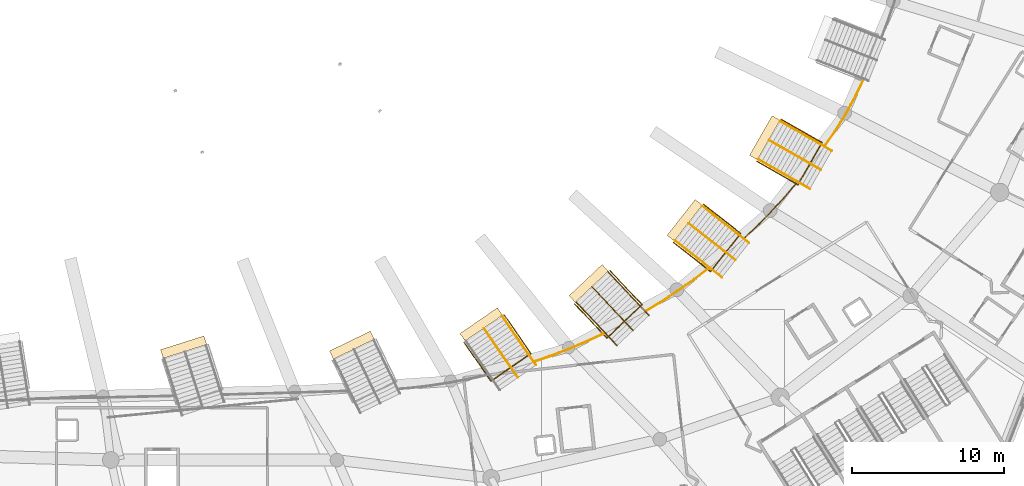
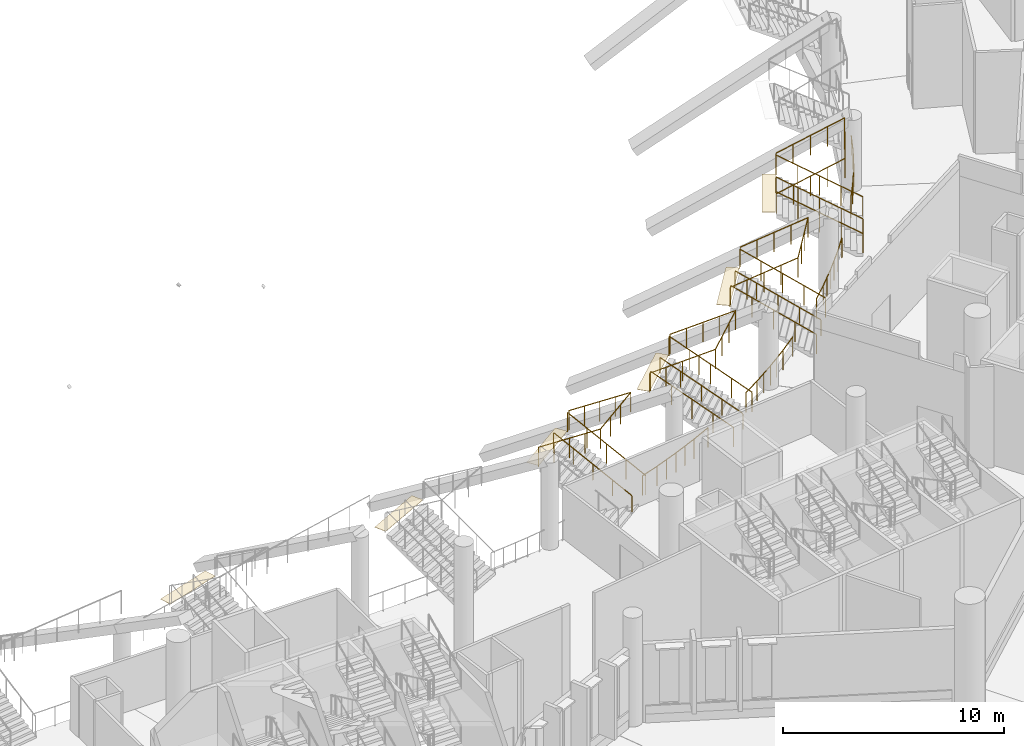
# One storey, part 133 of 173: 19 railings, 6 coverings.
"""IFC4 building model written with IfcOpenShell, lengths in metres."""

from ifc_helpers import new_model, si_unit, direction, frame, origin, origin_2d, place, context, subcontext, project, spatial, rectangle, circle, extrude, material, layer, layer_set, type_object, element, save


model = new_model("IFC4")

# Units and contexts
model_context = context("Model", 3, precision=1e-05, world=origin(), true_north=direction((0.0, 1.0)))
body_context = subcontext(model_context, "Body", "Model", "MODEL_VIEW")
ifc_project = project(units=[si_unit("LENGTHUNIT", "METRE"), si_unit("AREAUNIT", "SQUARE_METRE"), si_unit("VOLUMEUNIT", "CUBIC_METRE"), si_unit("PLANEANGLEUNIT", "RADIAN"), si_unit("MASSUNIT", "GRAM", prefix="KILO")], contexts=[model_context])

# Site, building, storey
site_placement = place(None, origin())
site = spatial("IfcSite", under=ifc_project, at=site_placement, CompositionType="ELEMENT")
building_placement = place(site_placement, origin())
building = spatial("IfcBuilding", under=site, at=building_placement, Name="Meseta Stadium", CompositionType="ELEMENT")
storey_placement = place(building_placement, frame((0.0, 0.0, 18.0)))
storey = spatial("IfcBuildingStorey", under=building, at=storey_placement, Name="L03", CompositionType="ELEMENT", Elevation=18.0)

# Railings
ifc_material_1 = material(Name="Steel S355", Category="steel")
railing_type_1 = type_object("IfcRailingType", Name="Plate edge guard 1100", PredefinedType="GUARDRAIL", material=ifc_material_1)
railing_1_placement = place(storey_placement, frame((47.6162109375, -83.400634765625, 0.0)))
element("IfcRailing", 1, at=railing_1_placement, inside=storey, type_object=railing_type_1, Name="L03 inner edge guard 52", PredefinedType="GUARDRAIL", context=body_context, shape_type="SweptSolid", body=[
    extrude(circle(Radius=0.02490234375, at=origin_2d()), frame((0.0, 0.0, 1.0751953125), z_axis=(0.945948078572, 0.324318104099, 0.0), x_axis=(-0.324318104099, 0.945948078572, 0.0)), (0.0, 0.0, 1.0), 1.00341796875),
    extrude(circle(Radius=0.02490234375, at=origin_2d()), frame((0.94921875, 0.325439453125, 1.0751953125), z_axis=(0.933888814038, 0.357563537033, 0.0), x_axis=(-0.357563537033, 0.933888814038, 0.0)), (0.0, 0.0, 1.0), 1.3525390625),
    extrude(circle(Radius=0.02490234375, at=origin_2d()), frame((2.21240234375, 0.80908203125, 1.0751953125), z_axis=(0.920530635071, 0.390670385231, 0.0), x_axis=(-0.390670385231, 0.920530635071, 0.0)), (0.0, 0.0, 1.0), 1.352294921875),
    extrude(circle(Radius=0.02490234375, at=origin_2d()), frame((3.457275390625, 1.33740234375, 1.0751953125), z_axis=(0.906110366799, 0.423041372894, 0.0), x_axis=(-0.423041372894, 0.906110366799, 0.0)), (0.0, 0.0, 1.0), 1.114501953125),
    extrude(circle(Radius=0.02001953125, at=origin_2d()), origin(), (0.0, 0.0, 1.0), 1.050048828125),
    extrude(circle(Radius=0.02001953125, at=origin_2d()), frame((0.94921875, 0.325439453125, 0.0)), (0.0, 0.0, 1.0), 1.050048828125),
    extrude(circle(Radius=0.02001953125, at=origin_2d()), frame((1.580810546875, 0.5673828125, 0.0)), (0.0, 0.0, 1.0), 1.050048828125),
    extrude(circle(Radius=0.02001953125, at=origin_2d()), frame((2.21240234375, 0.80908203125, 0.0)), (0.0, 0.0, 1.0), 1.050048828125),
    extrude(circle(Radius=0.02001953125, at=origin_2d()), frame((2.8349609375, 1.0732421875, 0.0)), (0.0, 0.0, 1.0), 1.050048828125),
    extrude(circle(Radius=0.02001953125, at=origin_2d()), frame((3.457275390625, 1.33740234375, 0.0)), (0.0, 0.0, 1.0), 1.050048828125),
    extrude(circle(Radius=0.02001953125, at=origin_2d()), frame((4.467041015625, 1.808837890625, 0.0)), (0.0, 0.0, 1.0), 1.050048828125),
])
railing_2_placement = place(storey_placement, frame((54.950927734375, -80.05615234375, 0.0)))
element("IfcRailing", 2, at=railing_2_placement, inside=storey, type_object=railing_type_1, Name="L03 inner edge guard 53", PredefinedType="GUARDRAIL", context=body_context, shape_type="SweptSolid", body=[
    extrude(circle(Radius=0.02490234375, at=origin_2d()), frame((0.0, 0.0, 1.0751953125), z_axis=(0.855746499961, 0.517395330289, 0.0), x_axis=(-0.517395330289, 0.855746499961, 0.0)), (0.0, 0.0, 1.0), 1.0390625),
    extrude(circle(Radius=0.02490234375, at=origin_2d()), frame((0.88916015625, 0.53759765625, 1.0751953125), z_axis=(0.836743645867, 0.547594805583, 0.0), x_axis=(-0.547594805583, 0.836743645867, 0.0)), (0.0, 0.0, 1.0), 1.351806640625),
    extrude(circle(Radius=0.02490234375, at=origin_2d()), frame((2.020263671875, 1.27783203125, 1.0751953125), z_axis=(0.816797629008, 0.576924287274, 0.0), x_axis=(-0.576924287274, 0.816797629008, 0.0)), (0.0, 0.0, 1.0), 1.3515625),
    extrude(circle(Radius=0.02490234375, at=origin_2d()), frame((3.124267578125, 2.0576171875, 1.0751953125), z_axis=(0.795674728127, 0.605724134421, 0.0), x_axis=(-0.605724134421, 0.795674728127, 0.0)), (0.0, 0.0, 1.0), 1.1298828125),
    extrude(circle(Radius=0.02001953125, at=origin_2d()), origin(), (0.0, 0.0, 1.0), 1.050048828125),
    extrude(circle(Radius=0.02001953125, at=origin_2d()), frame((0.88916015625, 0.53759765625, 0.0)), (0.0, 0.0, 1.0), 1.050048828125),
    extrude(circle(Radius=0.02001953125, at=origin_2d()), frame((1.45458984375, 0.90771484375, 0.0)), (0.0, 0.0, 1.0), 1.050048828125),
    extrude(circle(Radius=0.02001953125, at=origin_2d()), frame((2.020263671875, 1.27783203125, 0.0)), (0.0, 0.0, 1.0), 1.050048828125),
    extrude(circle(Radius=0.02001953125, at=origin_2d()), frame((2.572265625, 1.667724609375, 0.0)), (0.0, 0.0, 1.0), 1.050048828125),
    extrude(circle(Radius=0.02001953125, at=origin_2d()), frame((3.124267578125, 2.0576171875, 0.0)), (0.0, 0.0, 1.0), 1.050048828125),
    extrude(circle(Radius=0.02001953125, at=origin_2d()), frame((4.023193359375, 2.741943359375, 0.0)), (0.0, 0.0, 1.0), 1.050048828125),
])
railing_3_placement = place(storey_placement, frame((61.413818359375, -75.23828125, 0.0)))
element("IfcRailing", 3, at=railing_3_placement, inside=storey, type_object=railing_type_1, Name="L03 inner edge guard 54", PredefinedType="GUARDRAIL", context=body_context, shape_type="SweptSolid", body=[
    extrude(circle(Radius=0.02490234375, at=origin_2d()), frame((0.0, 0.0, 1.0751953125), z_axis=(0.726425386397, 0.68724534047, 0.0), x_axis=(-0.68724534047, 0.726425386397, 0.0)), (0.0, 0.0, 1.0), 1.07177734375),
    extrude(circle(Radius=0.02490234375, at=origin_2d()), frame((0.778564453125, 0.736572265625, 1.0751953125), z_axis=(0.70166634323, 0.71250567912, 0.0), x_axis=(-0.71250567912, 0.70166634323, 0.0)), (0.0, 0.0, 1.0), 1.351318359375),
    extrude(circle(Radius=0.02490234375, at=origin_2d()), frame((1.726806640625, 1.699462890625, 1.0751953125), z_axis=(0.675732807899, 0.737146642351, 0.0), x_axis=(-0.737146642351, 0.675732807899, 0.0)), (0.0, 0.0, 1.0), 1.3515625),
    extrude(circle(Radius=0.02490234375, at=origin_2d()), frame((2.64013671875, 2.69580078125, 1.0751953125), z_axis=(0.649110992878, 0.760693709009, 0.0), x_axis=(-0.760693709009, 0.649110992878, 0.0)), (0.0, 0.0, 1.0), 1.1376953125),
    extrude(circle(Radius=0.02001953125, at=origin_2d()), origin(), (0.0, 0.0, 1.0), 1.050048828125),
    extrude(circle(Radius=0.02001953125, at=origin_2d()), frame((0.778564453125, 0.736572265625, 0.0)), (0.0, 0.0, 1.0), 1.050048828125),
    extrude(circle(Radius=0.02001953125, at=origin_2d()), frame((1.252685546875, 1.218017578125, 0.0)), (0.0, 0.0, 1.0), 1.050048828125),
    extrude(circle(Radius=0.02001953125, at=origin_2d()), frame((1.726806640625, 1.699462890625, 0.0)), (0.0, 0.0, 1.0), 1.050048828125),
    extrude(circle(Radius=0.02001953125, at=origin_2d()), frame((2.18359375, 2.19775390625, 0.0)), (0.0, 0.0, 1.0), 1.050048828125),
    extrude(circle(Radius=0.02001953125, at=origin_2d()), frame((2.64013671875, 2.69580078125, 0.0)), (0.0, 0.0, 1.0), 1.050048828125),
    extrude(circle(Radius=0.02001953125, at=origin_2d()), frame((3.378662109375, 3.561279296875, 0.0)), (0.0, 0.0, 1.0), 1.050048828125),
])
railing_4_placement = place(storey_placement, frame((66.71533203125, -69.15966796875, 0.0)))
element("IfcRailing", 4, at=railing_4_placement, inside=storey, type_object=railing_type_1, Name="L03 inner edge guard 55", PredefinedType="GUARDRAIL", context=body_context, shape_type="SweptSolid", body=[
    extrude(circle(Radius=0.02490234375, at=origin_2d()), frame((0.0, 0.0, 1.0751953125), z_axis=(0.564349465999, 0.825535995718, 0.0), x_axis=(-0.825535995718, 0.564349465999, 0.0)), (0.0, 0.0, 1.0), 1.099365234375),
    extrude(circle(Radius=0.02490234375, at=origin_2d()), frame((0.620361328125, 0.907470703125, 1.0751953125), z_axis=(0.534386629264, 0.845240161412, 0.0), x_axis=(-0.845240161412, 0.534386629264, 0.0)), (0.0, 0.0, 1.0), 1.353271484375),
    extrude(circle(Radius=0.02490234375, at=origin_2d()), frame((1.343505859375, 2.05126953125, 1.0751953125), z_axis=(0.474854769411, 0.880064172642, 0.0), x_axis=(-0.880064172642, 0.474854769411, 0.0)), (0.0, 0.0, 1.0), 1.349609375),
    extrude(circle(Radius=0.02490234375, at=origin_2d()), frame((1.984375, 3.239013671875, 1.0751953125), z_axis=(0.435753199463, 0.900066191542, 0.0), x_axis=(-0.900066191542, 0.435753199463, 0.0)), (0.0, 0.0, 1.0), 1.12841796875),
    extrude(circle(Radius=0.02001953125, at=origin_2d()), origin(), (0.0, 0.0, 1.0), 1.050048828125),
    extrude(circle(Radius=0.02001953125, at=origin_2d()), frame((0.620361328125, 0.907470703125, 0.0)), (0.0, 0.0, 1.0), 1.050048828125),
    extrude(circle(Radius=0.02001953125, at=origin_2d()), frame((0.98193359375, 1.4794921875, 0.0)), (0.0, 0.0, 1.0), 1.050048828125),
    extrude(circle(Radius=0.02001953125, at=origin_2d()), frame((1.343505859375, 2.05126953125, 0.0)), (0.0, 0.0, 1.0), 1.050048828125),
    extrude(circle(Radius=0.02001953125, at=origin_2d()), frame((1.6640625, 2.64501953125, 0.0)), (0.0, 0.0, 1.0), 1.050048828125),
    extrude(circle(Radius=0.02001953125, at=origin_2d()), frame((1.984375, 3.239013671875, 0.0)), (0.0, 0.0, 1.0), 1.050048828125),
    extrude(circle(Radius=0.02001953125, at=origin_2d()), frame((2.47607421875, 4.254638671875, 0.0)), (0.0, 0.0, 1.0), 1.050048828125),
])

# Coverings
ifc_material_2 = material(Name="Stone paving", Category="masonry")
ifc_layer = layer(ifc_material_2, 0.02001953125)
ifc_layer_set = layer_set([ifc_layer], Name="Vomitory exit threshold plate 20")
covering_type = type_object("IfcCoveringType", Name="Vomitory exit threshold plate 20", PredefinedType="FLOORING", material=ifc_layer_set)
for number, where, z_axis, x_axis, name in (
    (5, (24.425537109375, -82.470458984375, 2.455322265625), (0.0, 0.0, 1.0), (-0.302579501013, 0.953124150133, 0.0), "Vomitory V-upper-49 exit threshold"),
    (6, (35.51220703125, -82.339599609375, 2.5791015625), (0.0, 0.0, 1.0), (-0.437966379942, 0.898991351483, 0.0), "Vomitory V-upper-50 exit threshold"),
    (7, (44.034423828125, -80.973876953125, 2.451416015625), (0.0, 0.0, 1.0), (-0.567899772853, 0.82309771473, 0.0), "Vomitory V-upper-51 exit threshold"),
    (8, (51.113525390625, -78.275146484375, 2.453125), (0.0, 0.0, 1.0), (-0.686064733008, 0.72754050205, 0.0), "Vomitory V-upper-52 exit threshold"),
    (9, (57.438720703125, -74.110107421875, 2.4541015625), (0.0, 0.0, 1.0), (-0.786141751877, 0.618046232862, 0.0), "Vomitory V-upper-53 exit threshold"),
    (10, (62.7119140625, -68.675537109375, 2.454833984375), (0.0, 0.0, 1.0), (-0.867711670531, 0.497067859376, 0.0), "Vomitory V-upper-54 exit threshold"),
):
    element("IfcCovering", number, at=place(storey_placement, frame(where, z_axis=z_axis, x_axis=x_axis)), inside=storey, type_object=covering_type, Name=name, PredefinedType="FLOORING", context=body_context, shape_type="SweptSolid", body=[
        extrude(rectangle(XDim=0.60009765625, YDim=3.0, at=origin_2d()), origin(), (0.0, 0.0, 1.0), 0.02001953125),
    ])

# Railings
ifc_material_3 = material(Name="Steel S355", Category="steel")
railing_type_2 = type_object("IfcRailingType", Name="Vomitory slot guard 1100", PredefinedType="GUARDRAIL", material=ifc_material_3)
railing_5_placement = place(storey_placement, frame((45.541015625, -80.340087890625, 2.471435546875)))
element("IfcRailing", 11, at=railing_5_placement, inside=storey, type_object=railing_type_2, Name="Vomitory V-upper-51 slot guard", PredefinedType="GUARDRAIL", context=body_context, shape_type="SweptSolid", body=[
    extrude(circle(Radius=0.02490234375, at=origin_2d()), frame((0.0, 0.0, 1.0751953125), z_axis=(0.481565640467, -0.698006389428, 0.529982654659), x_axis=(0.823112509059, 0.567878329777, 0.0)), (0.0, 0.0, 1.0), 3.65576171875),
    extrude(circle(Radius=0.02490234375, at=origin_2d()), frame((1.760498046875, -2.5517578125, 3.0126953125), z_axis=(-0.8231303975, -0.567852400463, 0.0), x_axis=(0.567852400463, -0.8231303975, 0.0)), (0.0, 0.0, 1.0), 3.199951171875),
    extrude(circle(Radius=0.02490234375, at=origin_2d()), frame((-0.87353515625, -4.368896484375, 3.0126953125), z_axis=(-0.48158808882, 0.697972142041, -0.530007359988), x_axis=(-0.823087110293, -0.567915142314, 0.0)), (0.0, 0.0, 1.0), 3.655517578125),
    extrude(circle(Radius=0.02001953125, at=origin_2d()), origin(), (0.0, 0.0, 1.0), 1.050048828125),
    extrude(circle(Radius=0.02001953125, at=origin_2d()), frame((0.440185546875, -0.637939453125, 0.484375)), (0.0, 0.0, 1.0), 1.050048828125),
    extrude(circle(Radius=0.02001953125, at=origin_2d()), frame((0.88037109375, -1.27587890625, 0.96875)), (0.0, 0.0, 1.0), 1.050048828125),
    extrude(circle(Radius=0.02001953125, at=origin_2d()), frame((1.3203125, -1.913818359375, 1.453125)), (0.0, 0.0, 1.0), 1.050048828125),
    extrude(circle(Radius=0.02001953125, at=origin_2d()), frame((1.760498046875, -2.5517578125, 1.9375)), (0.0, 0.0, 1.0), 1.050048828125),
    extrude(circle(Radius=0.02001953125, at=origin_2d()), frame((0.882568359375, -3.157470703125, 1.9375)), (0.0, 0.0, 1.0), 1.050048828125),
    extrude(circle(Radius=0.02001953125, at=origin_2d()), frame((0.00439453125, -3.76318359375, 1.9375)), (0.0, 0.0, 1.0), 1.050048828125),
    extrude(circle(Radius=0.02001953125, at=origin_2d()), frame((-0.87353515625, -4.368896484375, 1.9375)), (0.0, 0.0, 1.0), 1.050048828125),
    extrude(circle(Radius=0.02001953125, at=origin_2d()), frame((-1.313720703125, -3.73095703125, 1.453125)), (0.0, 0.0, 1.0), 1.050048828125),
    extrude(circle(Radius=0.02001953125, at=origin_2d()), frame((-1.75390625, -3.09326171875, 0.96875)), (0.0, 0.0, 1.0), 1.050048828125),
    extrude(circle(Radius=0.02001953125, at=origin_2d()), frame((-2.19384765625, -2.455322265625, 0.484375)), (0.0, 0.0, 1.0), 1.050048828125),
    extrude(circle(Radius=0.02001953125, at=origin_2d()), frame((-2.634033203125, -1.8173828125, 0.0)), (0.0, 0.0, 1.0), 1.050048828125),
])
railing_6_placement = place(storey_placement, frame((52.5068359375, -77.42041015625, 2.47314453125)))
element("IfcRailing", 12, at=railing_6_placement, inside=storey, type_object=railing_type_2, Name="Vomitory V-upper-52 slot guard", PredefinedType="GUARDRAIL", context=body_context, shape_type="SweptSolid", body=[
    extrude(circle(Radius=0.02490234375, at=origin_2d()), frame((0.0, 0.0, 1.0751953125), z_axis=(0.581765575966, -0.616961358141, 0.530007072766), x_axis=(0.727554587562, 0.686049795654, 0.0)), (0.0, 0.0, 1.0), 3.655517578125),
    extrude(circle(Radius=0.02490234375, at=origin_2d()), frame((2.126708984375, -2.25537109375, 3.0126953125), z_axis=(-0.727554587562, -0.686049795654, 0.0), x_axis=(0.686049795654, -0.727554587562, 0.0)), (0.0, 0.0, 1.0), 3.199951171875),
    extrude(circle(Radius=0.02490234375, at=origin_2d()), frame((-0.201416015625, -4.45068359375, 3.0126953125), z_axis=(-0.581765575966, 0.616961358141, -0.530007072766), x_axis=(-0.727554587562, -0.686049795654, 0.0)), (0.0, 0.0, 1.0), 3.655517578125),
    extrude(circle(Radius=0.02001953125, at=origin_2d()), origin(), (0.0, 0.0, 1.0), 1.050048828125),
    extrude(circle(Radius=0.02001953125, at=origin_2d()), frame((0.53173828125, -0.56396484375, 0.484375)), (0.0, 0.0, 1.0), 1.050048828125),
    extrude(circle(Radius=0.02001953125, at=origin_2d()), frame((1.0634765625, -1.127685546875, 0.96875)), (0.0, 0.0, 1.0), 1.050048828125),
    extrude(circle(Radius=0.02001953125, at=origin_2d()), frame((1.594970703125, -1.69140625, 1.453125)), (0.0, 0.0, 1.0), 1.050048828125),
    extrude(circle(Radius=0.02001953125, at=origin_2d()), frame((2.126708984375, -2.25537109375, 1.9375)), (0.0, 0.0, 1.0), 1.050048828125),
    extrude(circle(Radius=0.02001953125, at=origin_2d()), frame((1.3505859375, -2.987060546875, 1.9375)), (0.0, 0.0, 1.0), 1.050048828125),
    extrude(circle(Radius=0.02001953125, at=origin_2d()), frame((0.57470703125, -3.718994140625, 1.9375)), (0.0, 0.0, 1.0), 1.050048828125),
    extrude(circle(Radius=0.02001953125, at=origin_2d()), frame((-0.201416015625, -4.45068359375, 1.9375)), (0.0, 0.0, 1.0), 1.050048828125),
    extrude(circle(Radius=0.02001953125, at=origin_2d()), frame((-0.733154296875, -3.88671875, 1.453125)), (0.0, 0.0, 1.0), 1.050048828125),
    extrude(circle(Radius=0.02001953125, at=origin_2d()), frame((-1.2646484375, -3.322998046875, 0.96875)), (0.0, 0.0, 1.0), 1.050048828125),
    extrude(circle(Radius=0.02001953125, at=origin_2d()), frame((-1.79638671875, -2.75927734375, 0.484375)), (0.0, 0.0, 1.0), 1.050048828125),
    extrude(circle(Radius=0.02001953125, at=origin_2d()), frame((-2.328125, -2.1953125, 0.0)), (0.0, 0.0, 1.0), 1.050048828125),
])
railing_7_placement = place(storey_placement, frame((58.690185546875, -73.05859375, 2.47412109375)))
element("IfcRailing", 13, at=railing_7_placement, inside=storey, type_object=railing_type_2, Name="Vomitory V-upper-53 slot guard", PredefinedType="GUARDRAIL", context=body_context, shape_type="SweptSolid", body=[
    extrude(circle(Radius=0.02490234375, at=origin_2d()), frame((0.0, 0.0, 1.0751953125), z_axis=(0.666635750203, -0.524119151232, 0.529996124385), x_axis=(0.618064990358, 0.786127004811, 0.0)), (0.0, 0.0, 1.0), 3.65576171875),
    extrude(circle(Radius=0.02490234375, at=origin_2d()), frame((2.43701171875, -1.916015625, 3.0126953125), z_axis=(-0.618057385598, -0.78613298373, 0.0), x_axis=(0.78613298373, -0.618057385598, 0.0)), (0.0, 0.0, 1.0), 3.199951171875),
    extrude(circle(Radius=0.02490234375, at=origin_2d()), frame((0.459228515625, -4.431640625, 3.0126953125), z_axis=(-0.666659083967, 0.524070710468, -0.530014675452), x_axis=(-0.618016316891, -0.786165270193, 0.0)), (0.0, 0.0, 1.0), 3.655517578125),
    extrude(circle(Radius=0.02001953125, at=origin_2d()), origin(), (0.0, 0.0, 1.0), 1.050048828125),
    extrude(circle(Radius=0.02001953125, at=origin_2d()), frame((0.609375, -0.47900390625, 0.484375)), (0.0, 0.0, 1.0), 1.050048828125),
    extrude(circle(Radius=0.02001953125, at=origin_2d()), frame((1.218505859375, -0.9580078125, 0.96875)), (0.0, 0.0, 1.0), 1.050048828125),
    extrude(circle(Radius=0.02001953125, at=origin_2d()), frame((1.82763671875, -1.43701171875, 1.453125)), (0.0, 0.0, 1.0), 1.050048828125),
    extrude(circle(Radius=0.02001953125, at=origin_2d()), frame((2.43701171875, -1.916015625, 1.9375)), (0.0, 0.0, 1.0), 1.050048828125),
    extrude(circle(Radius=0.02001953125, at=origin_2d()), frame((1.77783203125, -2.754638671875, 1.9375)), (0.0, 0.0, 1.0), 1.050048828125),
    extrude(circle(Radius=0.02001953125, at=origin_2d()), frame((1.118408203125, -3.593017578125, 1.9375)), (0.0, 0.0, 1.0), 1.050048828125),
    extrude(circle(Radius=0.02001953125, at=origin_2d()), frame((0.459228515625, -4.431640625, 1.9375)), (0.0, 0.0, 1.0), 1.050048828125),
    extrude(circle(Radius=0.02001953125, at=origin_2d()), frame((-0.14990234375, -3.95263671875, 1.453125)), (0.0, 0.0, 1.0), 1.050048828125),
    extrude(circle(Radius=0.02001953125, at=origin_2d()), frame((-0.75927734375, -3.4736328125, 0.96875)), (0.0, 0.0, 1.0), 1.050048828125),
    extrude(circle(Radius=0.02001953125, at=origin_2d()), frame((-1.36865234375, -2.994873046875, 0.484375)), (0.0, 0.0, 1.0), 1.050048828125),
    extrude(circle(Radius=0.02001953125, at=origin_2d()), frame((-1.977783203125, -2.515869140625, 0.0)), (0.0, 0.0, 1.0), 1.050048828125),
])
railing_8_placement = place(storey_placement, frame((63.797119140625, -67.453369140625, 2.474853515625)))
element("IfcRailing", 14, at=railing_8_placement, inside=storey, type_object=railing_type_2, Name="Vomitory V-upper-54 slot guard", PredefinedType="GUARDRAIL", context=body_context, shape_type="SweptSolid", body=[
    extrude(circle(Radius=0.02490234375, at=origin_2d()), frame((0.0, 0.0, 1.0751953125), z_axis=(0.735834226507, -0.421478471908, 0.530003668684), x_axis=(0.49702922619, 0.867733800375, 0.0)), (0.0, 0.0, 1.0), 3.655517578125),
    extrude(circle(Radius=0.02490234375, at=origin_2d()), frame((2.68994140625, -1.540771484375, 3.0126953125), z_axis=(-0.497124557531, -0.867679188583, 0.0), x_axis=(0.867679188583, -0.497124557531, 0.0)), (0.0, 0.0, 1.0), 3.199951171875),
    extrude(circle(Radius=0.02490234375, at=origin_2d()), frame((1.09912109375, -4.3173828125, 3.0126953125), z_axis=(-0.735834226507, 0.421478471908, -0.530003668684), x_axis=(-0.49702922619, -0.867733800375, 0.0)), (0.0, 0.0, 1.0), 3.655517578125),
    extrude(circle(Radius=0.02001953125, at=origin_2d()), origin(), (0.0, 0.0, 1.0), 1.050048828125),
    extrude(circle(Radius=0.02001953125, at=origin_2d()), frame((0.67236328125, -0.38525390625, 0.484375)), (0.0, 0.0, 1.0), 1.050048828125),
    extrude(circle(Radius=0.02001953125, at=origin_2d()), frame((1.344970703125, -0.7705078125, 0.96875)), (0.0, 0.0, 1.0), 1.050048828125),
    extrude(circle(Radius=0.02001953125, at=origin_2d()), frame((2.017578125, -1.155517578125, 1.453125)), (0.0, 0.0, 1.0), 1.050048828125),
    extrude(circle(Radius=0.02001953125, at=origin_2d()), frame((2.68994140625, -1.540771484375, 1.9375)), (0.0, 0.0, 1.0), 1.050048828125),
    extrude(circle(Radius=0.02001953125, at=origin_2d()), frame((2.15966796875, -2.46630859375, 1.9375)), (0.0, 0.0, 1.0), 1.050048828125),
    extrude(circle(Radius=0.02001953125, at=origin_2d()), frame((1.62939453125, -3.391845703125, 1.9375)), (0.0, 0.0, 1.0), 1.050048828125),
    extrude(circle(Radius=0.02001953125, at=origin_2d()), frame((1.09912109375, -4.3173828125, 1.9375)), (0.0, 0.0, 1.0), 1.050048828125),
    extrude(circle(Radius=0.02001953125, at=origin_2d()), frame((0.4267578125, -3.93212890625, 1.453125)), (0.0, 0.0, 1.0), 1.050048828125),
    extrude(circle(Radius=0.02001953125, at=origin_2d()), frame((-0.245849609375, -3.546875, 0.96875)), (0.0, 0.0, 1.0), 1.050048828125),
    extrude(circle(Radius=0.02001953125, at=origin_2d()), frame((-0.91845703125, -3.161865234375, 0.484375)), (0.0, 0.0, 1.0), 1.050048828125),
    extrude(circle(Radius=0.02001953125, at=origin_2d()), frame((-1.5908203125, -2.776611328125, 0.0)), (0.0, 0.0, 1.0), 1.050048828125),
])
ifc_material_4 = material(Name="Steel S355", Category="steel")
railing_type_3 = type_object("IfcRailingType", Name="Vomitory stair guard 1100", PredefinedType="GUARDRAIL", material=ifc_material_4)
railing_9_placement = place(storey_placement, frame((47.643798828125, -83.65185546875, 0.164794921875)))
element("IfcRailing", 15, at=railing_9_placement, inside=storey, type_object=railing_type_3, Name="Vomitory V-upper-51 guard right", PredefinedType="GUARDRAIL", context=body_context, shape_type="SweptSolid", body=[
    extrude(circle(Radius=0.02490234375, at=origin_2d()), frame((0.0, 0.0, 1.0751953125), z_axis=(-0.489474665706, 0.70938668516, 0.507134185941), x_axis=(-0.823081280051, -0.567923592069, 0.0)), (0.0, 0.0, 1.0), 4.54833984375),
    extrude(circle(Radius=0.02001953125, at=origin_2d()), origin(), (0.0, 0.0, 1.0), 1.050048828125),
    extrude(circle(Radius=0.02001953125, at=origin_2d()), frame((-0.556640625, 0.806640625, 0.57666015625)), (0.0, 0.0, 1.0), 1.050048828125),
    extrude(circle(Radius=0.02001953125, at=origin_2d()), frame((-1.11328125, 1.61328125, 1.1533203125)), (0.0, 0.0, 1.0), 1.050048828125),
    extrude(circle(Radius=0.02001953125, at=origin_2d()), frame((-1.669677734375, 2.419921875, 1.72998046875)), (0.0, 0.0, 1.0), 1.050048828125),
    extrude(circle(Radius=0.02001953125, at=origin_2d()), frame((-2.226318359375, 3.2265625, 2.306640625)), (0.0, 0.0, 1.0), 1.050048828125),
])
for number, where, name in (
    (16, (52.977294921875, -82.364990234375, 0.164794921875), "Vomitory V-upper-52 guard left"),
    (17, (55.087158203125, -80.375244140625, 0.164794921875), "Vomitory V-upper-52 guard right"),
):
    element("IfcRailing", number, at=place(storey_placement, frame(where)), inside=storey, type_object=railing_type_3, Name=name, PredefinedType="GUARDRAIL", context=body_context, shape_type="SweptSolid", body=[
        extrude(circle(Radius=0.02490234375, at=origin_2d()), frame((0.0, 0.0, 1.0751953125), z_axis=(-0.591183845792, 0.626925352808, 0.507411334601), x_axis=(-0.727541443777, -0.686063734348, 0.0)), (0.0, 0.0, 1.0), 4.54931640625),
        extrude(circle(Radius=0.02001953125, at=origin_2d()), origin(), (0.0, 0.0, 1.0), 1.050048828125),
        extrude(circle(Radius=0.02001953125, at=origin_2d()), frame((-0.67236328125, 0.712890625, 0.5771484375)), (0.0, 0.0, 1.0), 1.050048828125),
        extrude(circle(Radius=0.02001953125, at=origin_2d()), frame((-1.3447265625, 1.426025390625, 1.154296875)), (0.0, 0.0, 1.0), 1.050048828125),
        extrude(circle(Radius=0.02001953125, at=origin_2d()), frame((-2.01708984375, 2.13916015625, 1.731201171875)), (0.0, 0.0, 1.0), 1.050048828125),
        extrude(circle(Radius=0.02001953125, at=origin_2d()), frame((-2.689453125, 2.85205078125, 2.308349609375)), (0.0, 0.0, 1.0), 1.050048828125),
    ])
railing_10_placement = place(storey_placement, frame((59.88671875, -77.879150390625, 0.164794921875)))
element("IfcRailing", 18, at=railing_10_placement, inside=storey, type_object=railing_type_3, Name="Vomitory V-upper-53 guard left", PredefinedType="GUARDRAIL", context=body_context, shape_type="SweptSolid", body=[
    extrude(circle(Radius=0.02490234375, at=origin_2d()), frame((0.0, 0.0, 1.0751953125), z_axis=(-0.677317744059, 0.532538527337, 0.507585845433), x_axis=(-0.618080074529, -0.786115145173, 0.0)), (0.0, 0.0, 1.0), 4.549560546875),
    extrude(circle(Radius=0.02001953125, at=origin_2d()), origin(), (0.0, 0.0, 1.0), 1.050048828125),
    extrude(circle(Radius=0.02001953125, at=origin_2d()), frame((-0.7705078125, 0.605712890625, 0.577392578125)), (0.0, 0.0, 1.0), 1.050048828125),
    extrude(circle(Radius=0.02001953125, at=origin_2d()), frame((-1.540771484375, 1.21142578125, 1.15478515625)), (0.0, 0.0, 1.0), 1.050048828125),
    extrude(circle(Radius=0.02001953125, at=origin_2d()), frame((-2.31103515625, 1.817138671875, 1.73193359375)), (0.0, 0.0, 1.0), 1.050048828125),
    extrude(circle(Radius=0.02001953125, at=origin_2d()), frame((-3.08154296875, 2.4228515625, 2.309326171875)), (0.0, 0.0, 1.0), 1.050048828125),
])
railing_11_placement = place(storey_placement, frame((61.67919921875, -75.599365234375, 0.164794921875)))
element("IfcRailing", 19, at=railing_11_placement, inside=storey, type_object=railing_type_3, Name="Vomitory V-upper-53 guard right", PredefinedType="GUARDRAIL", context=body_context, shape_type="SweptSolid", body=[
    extrude(circle(Radius=0.02490234375, at=origin_2d()), frame((0.0, 0.0, 1.0751953125), z_axis=(-0.677346786361, 0.532519171975, 0.507567396988), x_axis=(-0.618049814161, -0.786138936331, 0.0)), (0.0, 0.0, 1.0), 4.5498046875),
    extrude(circle(Radius=0.02001953125, at=origin_2d()), origin(), (0.0, 0.0, 1.0), 1.050048828125),
    extrude(circle(Radius=0.02001953125, at=origin_2d()), frame((-0.7705078125, 0.605712890625, 0.577392578125)), (0.0, 0.0, 1.0), 1.050048828125),
    extrude(circle(Radius=0.02001953125, at=origin_2d()), frame((-1.541015625, 1.21142578125, 1.15478515625)), (0.0, 0.0, 1.0), 1.050048828125),
    extrude(circle(Radius=0.02001953125, at=origin_2d()), frame((-2.311279296875, 1.817138671875, 1.73193359375)), (0.0, 0.0, 1.0), 1.050048828125),
    extrude(circle(Radius=0.02001953125, at=origin_2d()), frame((-3.081787109375, 2.4228515625, 2.309326171875)), (0.0, 0.0, 1.0), 1.050048828125),
])
for number, where, name in (
    (20, (65.682373046875, -72.04833984375, 0.1650390625), "Vomitory V-upper-54 guard left"),
    (21, (67.123779296875, -69.531982421875, 0.1650390625), "Vomitory V-upper-54 guard right"),
):
    element("IfcRailing", number, at=place(storey_placement, frame(where)), inside=storey, type_object=railing_type_3, Name=name, PredefinedType="GUARDRAIL", context=body_context, shape_type="SweptSolid", body=[
        extrude(circle(Radius=0.02490234375, at=origin_2d()), frame((0.0, 0.0, 1.0751953125), z_axis=(-0.747577774128, 0.428252814766, 0.50766819703), x_axis=(-0.497070962808, -0.867709892725, 0.0)), (0.0, 0.0, 1.0), 4.5498046875),
        extrude(circle(Radius=0.02001953125, at=origin_2d()), origin(), (0.0, 0.0, 1.0), 1.050048828125),
        extrude(circle(Radius=0.02001953125, at=origin_2d()), frame((-0.850341796875, 0.487060546875, 0.577392578125)), (0.0, 0.0, 1.0), 1.050048828125),
        extrude(circle(Radius=0.02001953125, at=origin_2d()), frame((-1.70068359375, 0.97412109375, 1.15478515625)), (0.0, 0.0, 1.0), 1.050048828125),
        extrude(circle(Radius=0.02001953125, at=origin_2d()), frame((-2.551025390625, 1.46142578125, 1.732421875)), (0.0, 0.0, 1.0), 1.050048828125),
        extrude(circle(Radius=0.02001953125, at=origin_2d()), frame((-3.4013671875, 1.948486328125, 2.309814453125)), (0.0, 0.0, 1.0), 1.050048828125),
    ])
ifc_material_5 = material(Name="Steel S355", Category="steel")
railing_type_4 = type_object("IfcRailingType", Name="Vomitory stair handrail 900", PredefinedType="HANDRAIL", material=ifc_material_5)
railing_12_placement = place(storey_placement, frame((46.4501953125, -84.475341796875, 0.164794921875)))
element("IfcRailing", 22, at=railing_12_placement, inside=storey, type_object=railing_type_4, Name="Vomitory V-upper-51 central handrail", PredefinedType="HANDRAIL", context=body_context, shape_type="SweptSolid", body=[
    extrude(circle(Radius=0.02490234375, at=origin_2d()), frame((0.0, 0.0, 0.875), z_axis=(-0.489433847818, 0.709405322741, 0.507147509781), x_axis=(-0.82311039222, -0.567881398022, 0.0)), (0.0, 0.0, 1.0), 4.54833984375),
    extrude(circle(Radius=0.02001953125, at=origin_2d()), origin(), (0.0, 0.0, 1.0), 0.849853515625),
    extrude(circle(Radius=0.02001953125, at=origin_2d()), frame((-0.556640625, 0.806640625, 0.57666015625)), (0.0, 0.0, 1.0), 0.849853515625),
    extrude(circle(Radius=0.02001953125, at=origin_2d()), frame((-1.113037109375, 1.61328125, 1.1533203125)), (0.0, 0.0, 1.0), 0.849853515625),
    extrude(circle(Radius=0.02001953125, at=origin_2d()), frame((-1.66943359375, 2.419921875, 1.72998046875)), (0.0, 0.0, 1.0), 0.849853515625),
    extrude(circle(Radius=0.02001953125, at=origin_2d()), frame((-2.22607421875, 3.2265625, 2.306640625)), (0.0, 0.0, 1.0), 0.849853515625),
])
railing_13_placement = place(storey_placement, frame((54.0322265625, -81.3701171875, 0.164794921875)))
element("IfcRailing", 23, at=railing_13_placement, inside=storey, type_object=railing_type_4, Name="Vomitory V-upper-52 central handrail", PredefinedType="HANDRAIL", context=body_context, shape_type="SweptSolid", body=[
    extrude(circle(Radius=0.02490234375, at=origin_2d()), frame((0.0, 0.0, 0.875), z_axis=(-0.591183845792, 0.626925352808, 0.507411334601), x_axis=(-0.727541443777, -0.686063734348, 0.0)), (0.0, 0.0, 1.0), 4.54931640625),
    extrude(circle(Radius=0.02001953125, at=origin_2d()), origin(), (0.0, 0.0, 1.0), 0.849853515625),
    extrude(circle(Radius=0.02001953125, at=origin_2d()), frame((-0.67236328125, 0.712890625, 0.5771484375)), (0.0, 0.0, 1.0), 0.849853515625),
    extrude(circle(Radius=0.02001953125, at=origin_2d()), frame((-1.3447265625, 1.426025390625, 1.154296875)), (0.0, 0.0, 1.0), 0.849853515625),
    extrude(circle(Radius=0.02001953125, at=origin_2d()), frame((-2.01708984375, 2.13916015625, 1.731201171875)), (0.0, 0.0, 1.0), 0.849853515625),
    extrude(circle(Radius=0.02001953125, at=origin_2d()), frame((-2.689453125, 2.85205078125, 2.308349609375)), (0.0, 0.0, 1.0), 0.849853515625),
])
railing_14_placement = place(storey_placement, frame((60.782958984375, -76.7392578125, 0.164794921875)))
element("IfcRailing", 24, at=railing_14_placement, inside=storey, type_object=railing_type_4, Name="Vomitory V-upper-53 central handrail", PredefinedType="HANDRAIL", context=body_context, shape_type="SweptSolid", body=[
    extrude(circle(Radius=0.02490234375, at=origin_2d()), frame((0.0, 0.0, 0.875), z_axis=(-0.677317744059, 0.532538527337, 0.507585845433), x_axis=(-0.618080074529, -0.786115145173, 0.0)), (0.0, 0.0, 1.0), 4.549560546875),
    extrude(circle(Radius=0.02001953125, at=origin_2d()), origin(), (0.0, 0.0, 1.0), 0.849853515625),
    extrude(circle(Radius=0.02001953125, at=origin_2d()), frame((-0.7705078125, 0.605712890625, 0.577392578125)), (0.0, 0.0, 1.0), 0.849853515625),
    extrude(circle(Radius=0.02001953125, at=origin_2d()), frame((-1.540771484375, 1.21142578125, 1.15478515625)), (0.0, 0.0, 1.0), 0.849853515625),
    extrude(circle(Radius=0.02001953125, at=origin_2d()), frame((-2.31103515625, 1.817138671875, 1.73193359375)), (0.0, 0.0, 1.0), 0.849853515625),
    extrude(circle(Radius=0.02001953125, at=origin_2d()), frame((-3.08154296875, 2.4228515625, 2.309326171875)), (0.0, 0.0, 1.0), 0.849853515625),
])
railing_15_placement = place(storey_placement, frame((66.4033203125, -70.7900390625, 0.1650390625)))
element("IfcRailing", 25, at=railing_15_placement, inside=storey, type_object=railing_type_4, Name="Vomitory V-upper-54 central handrail", PredefinedType="HANDRAIL", context=body_context, shape_type="SweptSolid", body=[
    extrude(circle(Radius=0.02490234375, at=origin_2d()), frame((0.0, 0.0, 0.875), z_axis=(-0.747601443181, 0.428235636118, 0.507647832767), x_axis=(-0.497044101051, -0.867725280034, 0.0)), (0.0, 0.0, 1.0), 4.550048828125),
    extrude(circle(Radius=0.02001953125, at=origin_2d()), origin(), (0.0, 0.0, 1.0), 0.849853515625),
    extrude(circle(Radius=0.02001953125, at=origin_2d()), frame((-0.850341796875, 0.487060546875, 0.577392578125)), (0.0, 0.0, 1.0), 0.849853515625),
    extrude(circle(Radius=0.02001953125, at=origin_2d()), frame((-1.70068359375, 0.97412109375, 1.15478515625)), (0.0, 0.0, 1.0), 0.849853515625),
    extrude(circle(Radius=0.02001953125, at=origin_2d()), frame((-2.55126953125, 1.46142578125, 1.732421875)), (0.0, 0.0, 1.0), 0.849853515625),
    extrude(circle(Radius=0.02001953125, at=origin_2d()), frame((-3.401611328125, 1.948486328125, 2.309814453125)), (0.0, 0.0, 1.0), 0.849853515625),
])

save(model, "model.ifc")
